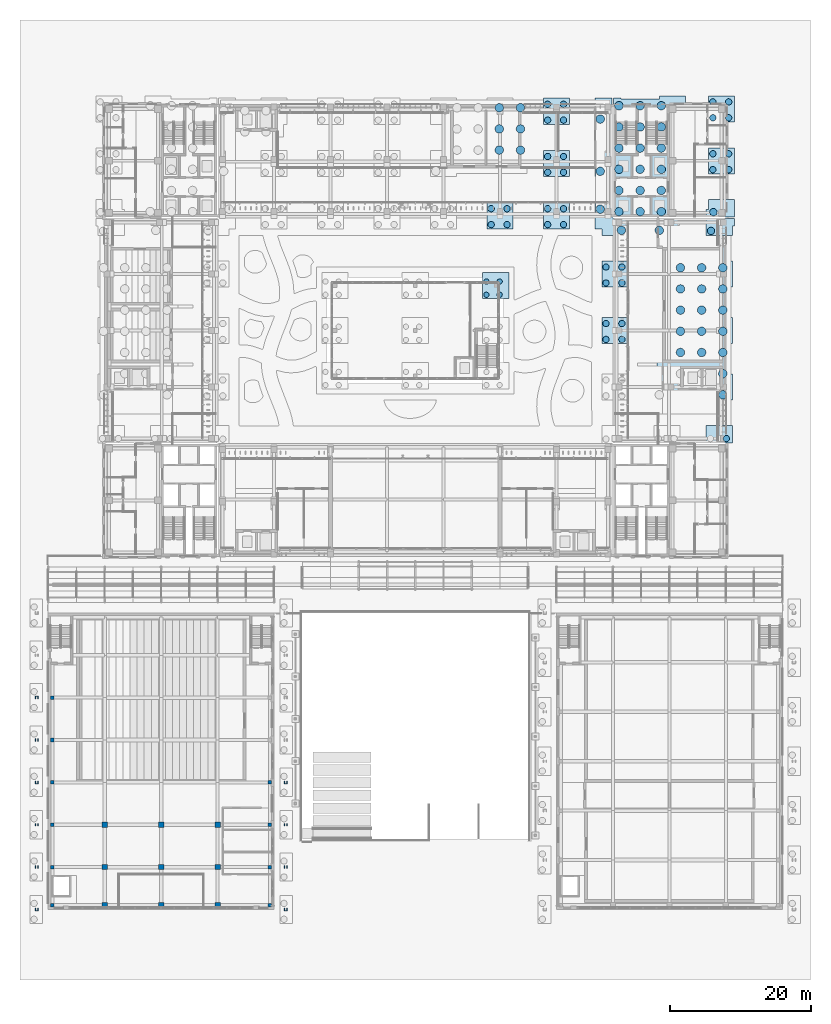
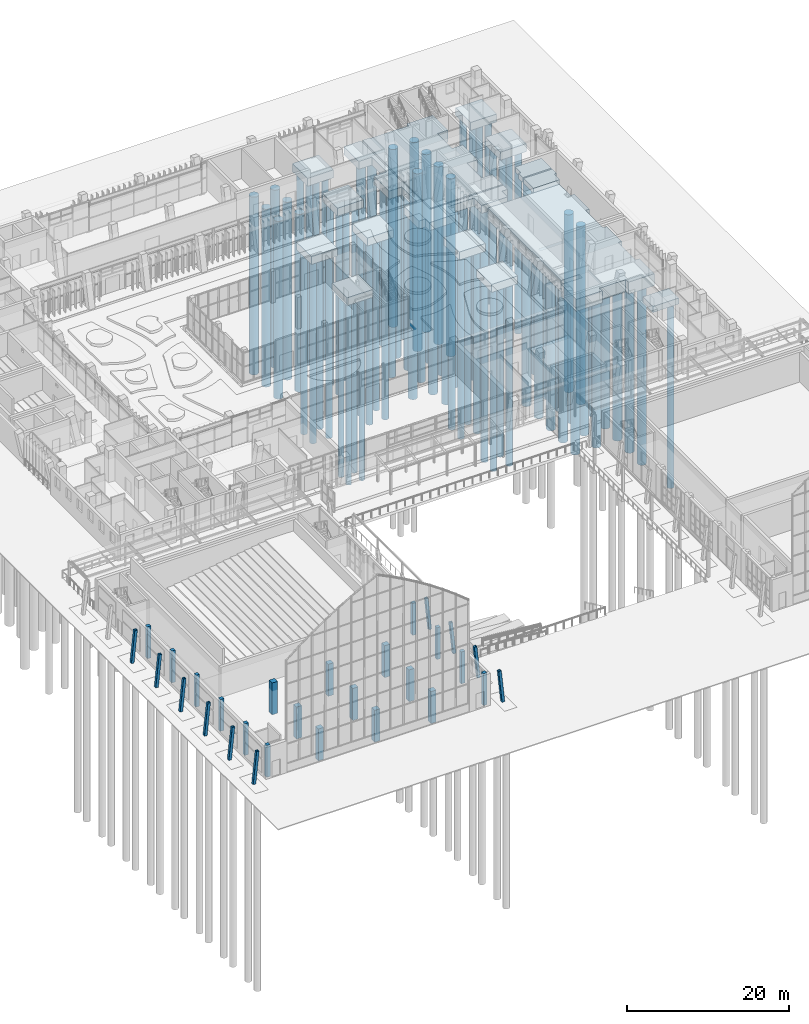
# One storey, part 3 of 144: 85 piles, 29 columns, 15 footings.
"""IFC4 building model written with IfcOpenShell, lengths in metres."""

from ifc_helpers import new_model, si_unit, direction, frame, origin, origin_2d, place, context, subcontext, project, spatial, polyline, rectangle, hollow_rectangle, circle, outline, extrude, material, material_profile, profile_set, type_object, element, save


model = new_model("IFC4")

# Units and contexts
model_context = context("Model", 3, precision=1e-05, world=origin(), true_north=direction((0.0, 1.0)))
body_context = subcontext(model_context, "Body", "Model", "MODEL_VIEW")
ifc_project = project(units=[si_unit("LENGTHUNIT", "METRE"), si_unit("AREAUNIT", "SQUARE_METRE"), si_unit("VOLUMEUNIT", "CUBIC_METRE"), si_unit("PLANEANGLEUNIT", "RADIAN"), si_unit("MASSUNIT", "GRAM", prefix="KILO")], contexts=[model_context])

# Site, building, storey
site_placement = place(None, origin())
site = spatial("IfcSite", under=ifc_project, at=site_placement, CompositionType="ELEMENT")
building_placement = place(site_placement, origin())
building = spatial("IfcBuilding", under=site, at=building_placement, Name="Lantern Court Media Centre", CompositionType="ELEMENT")
storey_placement = place(building_placement, origin())
storey = spatial("IfcBuildingStorey", under=building, at=storey_placement, Name="L00", CompositionType="ELEMENT", Elevation=0.0)

# Piles
ifc_material_1 = material(Name="Concrete C30", Category="concrete")
ifc_material_profile_1 = material_profile(ifc_material_1, circle(Radius=0.52490234375, at=origin_2d()), Name="D1050")
ifc_profile_set_1 = profile_set([ifc_material_profile_1], Name="Concrete C30")
pile_type_1 = type_object("IfcPileType", Name="BORED PILE D1050", PredefinedType="BORED", material=ifc_profile_set_1)
for number, where, z_axis, x_axis, name in (
    (1, (93.8916015625, 94.125, -2.25), (0.0, 0.0, -1.0), (1.0, 0.0, 0.0), "PL-028-000"),
    (2, (94.22509765625, 96.77490234375, -2.25), (0.0, 0.0, -1.0), (1.0, 0.0, 0.0), "PL-038-000"),
):
    element("IfcPile", number, at=place(storey_placement, frame(where, z_axis=z_axis, x_axis=x_axis)), inside=storey, type_object=pile_type_1, Name=name, PredefinedType="BORED", context=body_context, shape_type="SweptSolid", body=[
        extrude(circle(Radius=0.52490234375, at=origin_2d()), origin(), (0.0, 0.0, 1.0), 27.75),
    ])
ifc_material_profile_2 = material_profile(ifc_material_1, circle(Radius=0.60009765625, at=origin_2d()), Name="D1200")
ifc_profile_set_2 = profile_set([ifc_material_profile_2], Name="Concrete C30")
pile_type_2 = type_object("IfcPileType", Name="BORED PILE D1200", PredefinedType="BORED", material=ifc_profile_set_2)
for number, where, z_axis, x_axis, name in (
    (3, (89.566650390625, 76.89990234375, -3.25), (0.0, 0.0, -1.0), (1.0, 0.0, 0.0), "PL-011-002"),
    (4, (89.566650390625, 79.89990234375, -3.25), (0.0, 0.0, -1.0), (1.0, 0.0, 0.0), "PL-011-003"),
    (5, (89.566650390625, 82.89990234375, -3.25), (0.0, 0.0, -1.0), (1.0, 0.0, 0.0), "PL-011-004"),
    (6, (89.566650390625, 85.89990234375, -3.25), (0.0, 0.0, -1.0), (1.0, 0.0, 0.0), "PL-011-005"),
    (7, (89.566650390625, 88.89990234375, -3.25), (0.0, 0.0, -1.0), (1.0, 0.0, 0.0), "PL-011-006"),
    (8, (92.566650390625, 76.89990234375, -3.25), (0.0, 0.0, -1.0), (1.0, 0.0, 0.0), "PL-011-008"),
    (9, (92.566650390625, 79.89990234375, -3.25), (0.0, 0.0, -1.0), (1.0, 0.0, 0.0), "PL-011-009"),
    (10, (92.566650390625, 82.89990234375, -3.25), (0.0, 0.0, -1.0), (1.0, 0.0, 0.0), "PL-011-010"),
    (11, (92.566650390625, 85.89990234375, -3.25), (0.0, 0.0, -1.0), (1.0, 0.0, 0.0), "PL-011-011"),
    (12, (92.566650390625, 88.89990234375, -3.25), (0.0, 0.0, -1.0), (1.0, 0.0, 0.0), "PL-011-012"),
    (13, (95.566650390625, 70.89990234375, -3.25), (0.0, 0.0, -1.0), (1.0, 0.0, 0.0), "PL-011-013"),
    (14, (95.566650390625, 73.89990234375, -3.25), (0.0, 0.0, -1.0), (1.0, 0.0, 0.0), "PL-011-014"),
    (15, (95.566650390625, 76.89990234375, -3.25), (0.0, 0.0, -1.0), (1.0, 0.0, 0.0), "PL-011-015"),
    (16, (95.566650390625, 79.89990234375, -3.25), (0.0, 0.0, -1.0), (1.0, 0.0, 0.0), "PL-011-016"),
    (17, (95.566650390625, 82.89990234375, -3.25), (0.0, 0.0, -1.0), (1.0, 0.0, 0.0), "PL-011-017"),
    (18, (95.566650390625, 85.89990234375, -3.25), (0.0, 0.0, -1.0), (1.0, 0.0, 0.0), "PL-011-018"),
    (19, (95.566650390625, 88.89990234375, -3.25), (0.0, 0.0, -1.0), (1.0, 0.0, 0.0), "PL-011-019"),
):
    element("IfcPile", number, at=place(storey_placement, frame(where, z_axis=z_axis, x_axis=x_axis)), inside=storey, type_object=pile_type_2, Name=name, PredefinedType="BORED", context=body_context, shape_type="SweptSolid", body=[
        extrude(circle(Radius=0.60009765625, at=origin_2d()), origin(), (0.0, 0.0, 1.0), 26.75),
    ])
for number, where, z_axis, x_axis, name in (
    (20, (78.199951171875, 97.199951171875, -2.64990234375), (0.0, 0.0, -1.0), (1.0, 0.0, 0.0), "PL-027-000"),
    (21, (81.199951171875, 94.199951171875, -2.64990234375), (0.0, 0.0, -1.0), (1.0, 0.0, 0.0), "PL-027-001"),
    (22, (78.199951171875, 102.566650390625, -2.64990234375), (0.0, 0.0, -1.0), (1.0, 0.0, 0.0), "PL-027-002"),
    (23, (78.199951171875, 109.966796875, -2.64990234375), (0.0, 0.0, -1.0), (1.0, 0.0, 0.0), "PL-027-003"),
    (24, (86.566650390625, 94.199951171875, -2.64990234375), (0.0, 0.0, -1.0), (1.0, 0.0, 0.0), "PL-027-004"),
):
    element("IfcPile", number, at=place(storey_placement, frame(where, z_axis=z_axis, x_axis=x_axis)), inside=storey, type_object=pile_type_2, Name=name, PredefinedType="BORED", context=body_context, shape_type="SweptSolid", body=[
        extrude(circle(Radius=0.60009765625, at=origin_2d()), origin(), (0.0, 0.0, 1.0), 27.35009765625),
    ])
for number, where, z_axis, x_axis, name in (
    (25, (80.85009765625, 96.85009765625, -3.25), (0.0, 0.0, -1.0), (1.0, 0.0, 0.0), "PL-037-000"),
    (26, (80.85009765625, 99.85009765625, -3.25), (0.0, 0.0, -1.0), (1.0, 0.0, 0.0), "PL-037-001"),
    (27, (80.85009765625, 102.85009765625, -3.25), (0.0, 0.0, -1.0), (1.0, 0.0, 0.0), "PL-037-002"),
    (28, (80.85009765625, 105.85009765625, -3.25), (0.0, 0.0, -1.0), (1.0, 0.0, 0.0), "PL-037-003"),
    (29, (80.85009765625, 108.85009765625, -3.25), (0.0, 0.0, -1.0), (1.0, 0.0, 0.0), "PL-037-004"),
    (30, (80.85009765625, 111.85009765625, -3.25), (0.0, 0.0, -1.0), (1.0, 0.0, 0.0), "PL-037-005"),
    (31, (83.85009765625, 96.85009765625, -3.25), (0.0, 0.0, -1.0), (1.0, 0.0, 0.0), "PL-037-006"),
    (32, (83.85009765625, 99.85009765625, -3.25), (0.0, 0.0, -1.0), (1.0, 0.0, 0.0), "PL-037-007"),
    (33, (83.85009765625, 102.85009765625, -3.25), (0.0, 0.0, -1.0), (1.0, 0.0, 0.0), "PL-037-008"),
    (34, (83.85009765625, 105.85009765625, -3.25), (0.0, 0.0, -1.0), (1.0, 0.0, 0.0), "PL-037-009"),
    (35, (83.85009765625, 108.85009765625, -3.25), (0.0, 0.0, -1.0), (1.0, 0.0, 0.0), "PL-037-010"),
    (36, (83.85009765625, 111.85009765625, -3.25), (0.0, 0.0, -1.0), (1.0, 0.0, 0.0), "PL-037-011"),
    (37, (86.85009765625, 96.85009765625, -3.25), (0.0, 0.0, -1.0), (1.0, 0.0, 0.0), "PL-037-012"),
    (38, (86.85009765625, 99.85009765625, -3.25), (0.0, 0.0, -1.0), (1.0, 0.0, 0.0), "PL-037-013"),
    (39, (86.85009765625, 102.85009765625, -3.25), (0.0, 0.0, -1.0), (1.0, 0.0, 0.0), "PL-037-014"),
    (40, (86.85009765625, 105.85009765625, -3.25), (0.0, 0.0, -1.0), (1.0, 0.0, 0.0), "PL-037-015"),
    (41, (86.85009765625, 108.85009765625, -3.25), (0.0, 0.0, -1.0), (1.0, 0.0, 0.0), "PL-037-016"),
    (42, (86.85009765625, 111.85009765625, -3.25), (0.0, 0.0, -1.0), (1.0, 0.0, 0.0), "PL-037-017"),
    (43, (63.89990234375, 105.566650390625, -3.25), (0.0, 0.0, -1.0), (1.0, 0.0, 0.0), "PL-042-008"),
    (44, (63.89990234375, 108.566650390625, -3.25), (0.0, 0.0, -1.0), (1.0, 0.0, 0.0), "PL-042-009"),
    (45, (63.89990234375, 111.566650390625, -3.25), (0.0, 0.0, -1.0), (1.0, 0.0, 0.0), "PL-042-010"),
    (46, (66.89990234375, 105.566650390625, -3.25), (0.0, 0.0, -1.0), (1.0, 0.0, 0.0), "PL-042-011"),
    (47, (66.89990234375, 108.566650390625, -3.25), (0.0, 0.0, -1.0), (1.0, 0.0, 0.0), "PL-042-012"),
    (48, (66.89990234375, 111.566650390625, -3.25), (0.0, 0.0, -1.0), (1.0, 0.0, 0.0), "PL-042-013"),
):
    element("IfcPile", number, at=place(storey_placement, frame(where, z_axis=z_axis, x_axis=x_axis)), inside=storey, type_object=pile_type_2, Name=name, PredefinedType="BORED", context=body_context, shape_type="SweptSolid", body=[
        extrude(circle(Radius=0.60009765625, at=origin_2d()), origin(), (0.0, 0.0, 1.0), 26.75),
    ])
ifc_material_profile_3 = material_profile(ifc_material_1, circle(Radius=0.375, at=origin_2d()), Name="D750")
ifc_profile_set_3 = profile_set([ifc_material_profile_3], Name="Concrete C30")
pile_type_3 = type_object("IfcPileType", Name="BORED PILE D750", PredefinedType="BORED", material=ifc_profile_set_3)
for number, where, z_axis, x_axis, name in (
    (49, (62.074951171875, 85.074951171875, -2.64990234375), (0.0, 0.0, -1.0), (1.0, 0.0, 0.0), "PL-022-000"),
    (50, (62.074951171875, 86.949951171875, -2.64990234375), (0.0, 0.0, -1.0), (1.0, 0.0, 0.0), "PL-022-001"),
    (51, (63.949951171875, 85.074951171875, -2.64990234375), (0.0, 0.0, -1.0), (1.0, 0.0, 0.0), "PL-022-002"),
    (52, (63.949951171875, 86.949951171875, -2.64990234375), (0.0, 0.0, -1.0), (1.0, 0.0, 0.0), "PL-022-003"),
):
    element("IfcPile", number, at=place(storey_placement, frame(where, z_axis=z_axis, x_axis=x_axis)), inside=storey, type_object=pile_type_3, Name=name, PredefinedType="BORED", context=body_context, shape_type="SweptSolid", body=[
        extrude(circle(Radius=0.375, at=origin_2d()), origin(), (0.0, 0.0, 1.0), 27.35009765625),
    ])
ifc_material_profile_4 = material_profile(ifc_material_1, circle(Radius=0.449951171875, at=origin_2d()), Name="D900")
ifc_profile_set_4 = profile_set([ifc_material_profile_4], Name="Concrete C30")
pile_type_4 = type_object("IfcPileType", Name="BORED PILE D900", PredefinedType="BORED", material=ifc_profile_set_4)
pile_placement = place(storey_placement, frame((96.066650390625, 64.699951171875, -2.35009765625), z_axis=(0.0, 0.0, -1.0), x_axis=(1.0, 0.0, 0.0)))
element("IfcPile", 53, at=pile_placement, inside=storey, type_object=pile_type_4, Name="PL-007-001", PredefinedType="BORED", context=body_context, shape_type="SweptSolid", body=[
    extrude(circle(Radius=0.449951171875, at=origin_2d()), origin(), (0.0, 0.0, 1.0), 27.64990234375),
])
for number, where, z_axis, x_axis, name in (
    (54, (79.0166015625, 78.75, -2.64990234375), (0.0, 0.0, -1.0), (1.0, 0.0, 0.0), "PL-019-000"),
    (55, (79.0166015625, 81.0, -2.64990234375), (0.0, 0.0, -1.0), (1.0, 0.0, 0.0), "PL-019-001"),
    (56, (81.2666015625, 78.75, -2.64990234375), (0.0, 0.0, -1.0), (1.0, 0.0, 0.0), "PL-019-002"),
    (57, (81.2666015625, 81.0, -2.64990234375), (0.0, 0.0, -1.0), (1.0, 0.0, 0.0), "PL-019-003"),
    (58, (79.0166015625, 86.75, -2.64990234375), (0.0, 0.0, -1.0), (1.0, 0.0, 0.0), "PL-024-000"),
    (59, (79.0166015625, 89.0, -2.64990234375), (0.0, 0.0, -1.0), (1.0, 0.0, 0.0), "PL-024-001"),
    (60, (81.2666015625, 86.75, -2.64990234375), (0.0, 0.0, -1.0), (1.0, 0.0, 0.0), "PL-024-002"),
    (61, (81.2666015625, 89.0, -2.64990234375), (0.0, 0.0, -1.0), (1.0, 0.0, 0.0), "PL-024-003"),
    (62, (62.75, 95.0166015625, -2.64990234375), (0.0, 0.0, -1.0), (1.0, 0.0, 0.0), "PL-033-000"),
    (63, (62.75, 97.2666015625, -2.64990234375), (0.0, 0.0, -1.0), (1.0, 0.0, 0.0), "PL-033-001"),
    (64, (65.0, 95.0166015625, -2.64990234375), (0.0, 0.0, -1.0), (1.0, 0.0, 0.0), "PL-033-002"),
    (65, (65.0, 97.2666015625, -2.64990234375), (0.0, 0.0, -1.0), (1.0, 0.0, 0.0), "PL-033-003"),
    (66, (70.75, 95.0166015625, -2.64990234375), (0.0, 0.0, -1.0), (1.0, 0.0, 0.0), "PL-034-000"),
    (67, (70.75, 97.2666015625, -2.64990234375), (0.0, 0.0, -1.0), (1.0, 0.0, 0.0), "PL-034-001"),
    (68, (73.0, 95.0166015625, -2.64990234375), (0.0, 0.0, -1.0), (1.0, 0.0, 0.0), "PL-034-002"),
    (69, (73.0, 97.2666015625, -2.64990234375), (0.0, 0.0, -1.0), (1.0, 0.0, 0.0), "PL-034-003"),
    (70, (70.75, 102.416748046875, -2.64990234375), (0.0, 0.0, -1.0), (1.0, 0.0, 0.0), "PL-043-000"),
    (71, (70.75, 104.666748046875, -2.64990234375), (0.0, 0.0, -1.0), (1.0, 0.0, 0.0), "PL-043-001"),
    (72, (73.0, 102.416748046875, -2.64990234375), (0.0, 0.0, -1.0), (1.0, 0.0, 0.0), "PL-043-002"),
    (73, (73.0, 104.666748046875, -2.64990234375), (0.0, 0.0, -1.0), (1.0, 0.0, 0.0), "PL-043-003"),
    (74, (94.14990234375, 102.800048828125, -2.64990234375), (0.0, 0.0, -1.0), (1.0, 0.0, 0.0), "PL-045-000"),
    (75, (94.14990234375, 105.050048828125, -2.64990234375), (0.0, 0.0, -1.0), (1.0, 0.0, 0.0), "PL-045-001"),
    (76, (96.39990234375, 102.800048828125, -2.64990234375), (0.0, 0.0, -1.0), (1.0, 0.0, 0.0), "PL-045-002"),
    (77, (96.39990234375, 105.050048828125, -2.64990234375), (0.0, 0.0, -1.0), (1.0, 0.0, 0.0), "PL-045-003"),
    (78, (70.75, 109.816650390625, -2.64990234375), (0.0, 0.0, -1.0), (1.0, 0.0, 0.0), "PL-048-000"),
    (79, (70.75, 112.066650390625, -2.64990234375), (0.0, 0.0, -1.0), (1.0, 0.0, 0.0), "PL-048-001"),
    (80, (73.0, 109.816650390625, -2.64990234375), (0.0, 0.0, -1.0), (1.0, 0.0, 0.0), "PL-048-002"),
    (81, (73.0, 112.066650390625, -2.64990234375), (0.0, 0.0, -1.0), (1.0, 0.0, 0.0), "PL-048-003"),
    (82, (94.14990234375, 110.14990234375, -2.64990234375), (0.0, 0.0, -1.0), (1.0, 0.0, 0.0), "PL-050-000"),
    (83, (94.14990234375, 112.39990234375, -2.64990234375), (0.0, 0.0, -1.0), (1.0, 0.0, 0.0), "PL-050-001"),
    (84, (96.39990234375, 110.14990234375, -2.64990234375), (0.0, 0.0, -1.0), (1.0, 0.0, 0.0), "PL-050-002"),
    (85, (96.39990234375, 112.39990234375, -2.64990234375), (0.0, 0.0, -1.0), (1.0, 0.0, 0.0), "PL-050-003"),
):
    element("IfcPile", number, at=place(storey_placement, frame(where, z_axis=z_axis, x_axis=x_axis)), inside=storey, type_object=pile_type_4, Name=name, PredefinedType="BORED", context=body_context, shape_type="SweptSolid", body=[
        extrude(circle(Radius=0.449951171875, at=origin_2d()), origin(), (0.0, 0.0, 1.0), 27.35009765625),
    ])

# Footings
footing_type_1 = type_object("IfcFootingType", Name="PILE CAP 1200", PredefinedType="PILE_CAP", material=ifc_material_1)
footing_1_placement = place(storey_placement, frame((0.0, 0.0, -2.800048828125)))
element("IfcFooting", 86, at=footing_1_placement, inside=storey, type_object=footing_type_1, Name="PC-019", PredefinedType="PILE_CAP", context=body_context, shape_type="SweptSolid", body=[
    extrude(outline(polyline([(82.11669921875, 78.14990234375), (78.416748046875, 78.14990234375), (78.416748046875, 81.85009765625), (82.11669921875, 81.85009765625), (82.11669921875, 78.14990234375)])), origin(), (0.0, 0.0, 1.0), 1.199951171875),
])
footing_2_placement = place(storey_placement, frame((0.0, 0.0, -2.800048828125)))
element("IfcFooting", 87, at=footing_2_placement, inside=storey, type_object=footing_type_1, Name="PC-022", PredefinedType="PILE_CAP", context=body_context, shape_type="SweptSolid", body=[
    extrude(outline(polyline([(61.550048828125, 84.550048828125), (61.550048828125, 88.25), (65.25, 88.25), (65.25, 84.550048828125), (61.550048828125, 84.550048828125)])), origin(), (0.0, 0.0, 1.0), 1.199951171875),
])
footing_3_placement = place(storey_placement, frame((0.0, 0.0, -2.800048828125)))
element("IfcFooting", 88, at=footing_3_placement, inside=storey, type_object=footing_type_1, Name="PC-024", PredefinedType="PILE_CAP", context=body_context, shape_type="SweptSolid", body=[
    extrude(outline(polyline([(82.11669921875, 86.14990234375), (78.416748046875, 86.14990234375), (78.416748046875, 89.85009765625), (82.11669921875, 89.85009765625), (82.11669921875, 86.14990234375)])), origin(), (0.0, 0.0, 1.0), 1.199951171875),
])
footing_4_placement = place(storey_placement, frame((0.0, 0.0, -2.800048828125)))
element("IfcFooting", 89, at=footing_4_placement, inside=storey, type_object=footing_type_1, Name="PC-027", PredefinedType="PILE_CAP", context=body_context, shape_type="SweptSolid", body=[
    extrude(outline(polyline([(77.449951171875, 98.11669921875), (79.300048828125, 98.11669921875), (79.300048828125, 101.816650390625), (77.449951171875, 101.816650390625), (77.449951171875, 105.5166015625), (79.300048828125, 105.5166015625), (79.300048828125, 109.216552734375), (77.449951171875, 109.216552734375), (77.449951171875, 112.916748046875), (79.89990234375, 112.916748046875), (79.89990234375, 96.0), (80.0, 96.0), (80.0, 95.89990234375), (90.300048828125, 95.89990234375), (90.300048828125, 94.85009765625), (89.5166015625, 94.85009765625), (89.5166015625, 93.449951171875), (85.816650390625, 93.449951171875), (85.816650390625, 95.300048828125), (82.11669921875, 95.300048828125), (82.11669921875, 93.449951171875), (78.416748046875, 93.449951171875), (78.416748046875, 94.416748046875), (77.449951171875, 94.416748046875), (77.449951171875, 98.11669921875)])), origin(), (0.0, 0.0, 1.0), 1.199951171875),
])
footing_5_placement = place(storey_placement, frame((0.0, 0.0, -2.800048828125)))
element("IfcFooting", 90, at=footing_5_placement, inside=storey, type_object=footing_type_1, Name="PC-033", PredefinedType="PILE_CAP", context=body_context, shape_type="SweptSolid", body=[
    extrude(outline(polyline([(62.14990234375, 94.416748046875), (62.14990234375, 98.11669921875), (65.85009765625, 98.11669921875), (65.85009765625, 94.416748046875), (62.14990234375, 94.416748046875)])), origin(), (0.0, 0.0, 1.0), 1.199951171875),
])
footing_6_placement = place(storey_placement, frame((0.0, 0.0, -2.800048828125)))
element("IfcFooting", 91, at=footing_6_placement, inside=storey, type_object=footing_type_1, Name="PC-034", PredefinedType="PILE_CAP", context=body_context, shape_type="SweptSolid", body=[
    extrude(outline(polyline([(73.85009765625, 94.416748046875), (70.14990234375, 94.416748046875), (70.14990234375, 98.11669921875), (73.85009765625, 98.11669921875), (73.85009765625, 94.416748046875)])), origin(), (0.0, 0.0, 1.0), 1.199951171875),
])
footing_7_placement = place(storey_placement, frame((0.0, 0.0, -2.800048828125)))
element("IfcFooting", 92, at=footing_7_placement, inside=storey, type_object=footing_type_1, Name="PC-043", PredefinedType="PILE_CAP", context=body_context, shape_type="SweptSolid", body=[
    extrude(outline(polyline([(73.85009765625, 101.816650390625), (70.14990234375, 101.816650390625), (70.14990234375, 105.5166015625), (73.85009765625, 105.5166015625), (73.85009765625, 101.816650390625)])), origin(), (0.0, 0.0, 1.0), 1.199951171875),
])
footing_8_placement = place(storey_placement, frame((0.0, 0.0, -2.800048828125)))
element("IfcFooting", 93, at=footing_8_placement, inside=storey, type_object=footing_type_1, Name="PC-045", PredefinedType="PILE_CAP", context=body_context, shape_type="SweptSolid", body=[
    extrude(outline(polyline([(97.25, 102.199951171875), (93.550048828125, 102.199951171875), (93.550048828125, 105.89990234375), (97.25, 105.89990234375), (97.25, 102.199951171875)])), origin(), (0.0, 0.0, 1.0), 1.199951171875),
])
footing_9_placement = place(storey_placement, frame((0.0, 0.0, -2.800048828125)))
element("IfcFooting", 94, at=footing_9_placement, inside=storey, type_object=footing_type_1, Name="PC-048", PredefinedType="PILE_CAP", context=body_context, shape_type="SweptSolid", body=[
    extrude(outline(polyline([(70.14990234375, 109.216552734375), (70.14990234375, 112.916748046875), (73.85009765625, 112.916748046875), (73.85009765625, 109.216552734375), (70.14990234375, 109.216552734375)])), origin(), (0.0, 0.0, 1.0), 1.199951171875),
])
footing_10_placement = place(storey_placement, frame((0.0, 0.0, -2.800048828125)))
element("IfcFooting", 95, at=footing_10_placement, inside=storey, type_object=footing_type_1, Name="PC-050", PredefinedType="PILE_CAP", context=body_context, shape_type="SweptSolid", body=[
    extrude(outline(polyline([(93.550048828125, 109.550048828125), (93.550048828125, 113.25), (97.25, 113.25), (97.25, 109.550048828125), (93.550048828125, 109.550048828125)])), origin(), (0.0, 0.0, 1.0), 1.199951171875),
])
footing_type_2 = type_object("IfcFootingType", Name="PILE CAP 1800", PredefinedType="PILE_CAP", material=ifc_material_1)
footing_11_placement = place(storey_placement, frame((0.0, 0.0, -3.39990234375)))
element("IfcFooting", 96, at=footing_11_placement, inside=storey, type_object=footing_type_2, Name="PC-011", PredefinedType="PILE_CAP", context=body_context, shape_type="SweptSolid", body=[
    extrude(outline(polyline([(85.816650390625, 70.14990234375), (85.816650390625, 73.85009765625), (88.800048828125, 73.85009765625), (88.800048828125, 74.60009765625), (86.25, 74.60009765625), (86.25, 92.60009765625), (96.39990234375, 92.60009765625), (96.39990234375, 89.85009765625), (96.916748046875, 89.85009765625), (96.916748046875, 86.14990234375), (96.39990234375, 86.14990234375), (96.39990234375, 81.85009765625), (96.916748046875, 81.85009765625), (96.916748046875, 78.14990234375), (96.39990234375, 78.14990234375), (96.39990234375, 75.800048828125), (96.39990234375, 74.60009765625), (96.39990234375, 73.85009765625), (96.916748046875, 73.85009765625), (96.916748046875, 70.14990234375), (93.216552734375, 70.14990234375), (93.216552734375, 70.800048828125), (89.5166015625, 70.800048828125), (89.5166015625, 70.14990234375), (85.816650390625, 70.14990234375)])), origin(), (0.0, 0.0, 1.0), 1.7998046875),
])
footing_12_placement = place(storey_placement, frame((0.0, 0.0, -3.39990234375)))
element("IfcFooting", 97, at=footing_12_placement, inside=storey, type_object=footing_type_2, Name="PC-037", PredefinedType="PILE_CAP", context=body_context, shape_type="SweptSolid", body=[
    extrude(outline(polyline([(81.14990234375, 112.916748046875), (81.14990234375, 112.800048828125), (86.60009765625, 112.800048828125), (86.60009765625, 113.25), (90.300048828125, 113.25), (90.300048828125, 109.550048828125), (88.800048828125, 109.550048828125), (88.800048828125, 105.89990234375), (90.300048828125, 105.89990234375), (90.300048828125, 102.199951171875), (88.800048828125, 102.199951171875), (88.800048828125, 98.550048828125), (90.300048828125, 98.550048828125), (90.300048828125, 96.10009765625), (80.10009765625, 96.10009765625), (80.10009765625, 112.916748046875), (81.14990234375, 112.916748046875)])), origin(), (0.0, 0.0, 1.0), 1.7998046875),
])
footing_type_3 = type_object("IfcFootingType", Name="PILE CAP 800", PredefinedType="PILE_CAP", material=ifc_material_1)
footing_13_placement = place(storey_placement, frame((0.0, 0.0, -2.39990234375)))
element("IfcFooting", 98, at=footing_13_placement, inside=storey, type_object=footing_type_3, Name="PC-028", PredefinedType="PILE_CAP", context=body_context, shape_type="SweptSolid", body=[
    extrude(outline(polyline([(97.25, 94.85009765625), (96.916748046875, 94.85009765625), (96.916748046875, 93.449951171875), (93.216552734375, 93.449951171875), (93.216552734375, 95.89990234375), (97.25, 95.89990234375), (97.25, 94.85009765625)])), origin(), (0.0, 0.0, 1.0), 0.7998046875),
])
footing_14_placement = place(storey_placement, frame((0.0, 0.0, -2.39990234375)))
element("IfcFooting", 99, at=footing_14_placement, inside=storey, type_object=footing_type_3, Name="PC-038", PredefinedType="PILE_CAP", context=body_context, shape_type="SweptSolid", body=[
    extrude(outline(polyline([(97.25, 98.550048828125), (97.25, 96.10009765625), (93.216552734375, 96.10009765625), (93.216552734375, 97.14990234375), (93.550048828125, 97.14990234375), (93.550048828125, 98.550048828125), (97.25, 98.550048828125)])), origin(), (0.0, 0.0, 1.0), 0.7998046875),
])
footing_type_4 = type_object("IfcFootingType", Name="PILE CAP 900", PredefinedType="PILE_CAP", material=ifc_material_1)
footing_15_placement = place(storey_placement, frame((0.0, 0.0, -2.5)))
element("IfcFooting", 100, at=footing_15_placement, inside=storey, type_object=footing_type_4, Name="PC-007", PredefinedType="PILE_CAP", context=body_context, shape_type="SweptSolid", body=[
    extrude(outline(polyline([(96.916748046875, 64.10009765625), (93.216552734375, 64.10009765625), (93.216552734375, 66.550048828125), (96.916748046875, 66.550048828125), (96.916748046875, 64.10009765625)])), origin(), (0.0, 0.0, 1.0), 0.89990234375),
])

# Columns
ifc_material_2 = material(Name="Steel S355J2 (EN 10025-2)", Category="steel")
ifc_material_profile_5 = material_profile(ifc_material_2, hollow_rectangle(XDim=0.39990234375, YDim=0.39990234375, WallThickness=0.012451171875, InnerFilletRadius=0.012451171875, OuterFilletRadius=0.018798828125, at=origin_2d()), Name="Cinema Hall buttress column SHS 400x12.5")
ifc_profile_set_5 = profile_set([ifc_material_profile_5], Name="Steel S355J2 (EN 10025-2)")
column_type_1 = type_object("IfcColumnType", Name="Cinema Hall buttress column SHS 400x12.5", PredefinedType="COLUMN", material=ifc_profile_set_5)
for number, where, z_axis, x_axis, name in (
    (101, (-1.699951171875, 4.0, 0.0), (0.100901453218, 0.0, 0.994896425131), (0.0, 1.0, 0.0), "Cinema Hall buttress west 2"),
    (102, (-1.699951171875, 10.0, 0.0), (0.100901453218, 0.0, 0.994896425131), (0.0, 1.0, 0.0), "Cinema Hall buttress west 3"),
    (103, (-1.699951171875, 16.0, 0.0), (0.100901453218, 0.0, 0.994896425131), (0.0, 1.0, 0.0), "Cinema Hall buttress west 4"),
    (104, (-1.699951171875, 22.0, 0.0), (0.100901453218, 0.0, 0.994896425131), (0.0, 1.0, 0.0), "Cinema Hall buttress west 5"),
    (105, (-1.699951171875, 28.0, 0.0), (0.100901453218, 0.0, 0.994896425131), (0.0, 1.0, 0.0), "Cinema Hall buttress west 6"),
    (106, (33.699951171875, 4.0, 0.0), (-0.100901453218, 0.0, 0.994896425131), (0.0, -1.0, 0.0), "Cinema Hall buttress east 2"),
    (107, (33.699951171875, 10.0, 0.0), (-0.100901453218, 0.0, 0.994896425131), (0.0, -1.0, 0.0), "Cinema Hall buttress east 3"),
    (108, (33.699951171875, 16.0, 0.0), (-0.100901453218, 0.0, 0.994896425131), (0.0, -1.0, 0.0), "Cinema Hall buttress east 4"),
):
    element("IfcColumn", number, at=place(storey_placement, frame(where, z_axis=z_axis, x_axis=x_axis)), inside=storey, type_object=column_type_1, Name=name, PredefinedType="COLUMN", context=body_context, shape_type="SweptSolid", body=[
        extrude(hollow_rectangle(XDim=0.39990234375, YDim=0.39990234375, WallThickness=0.012451171875, InnerFilletRadius=0.012451171875, OuterFilletRadius=0.018798828125, at=origin_2d()), origin(), (0.0, 0.0, 1.0), 4.82470703125),
    ])
ifc_material_profile_6 = material_profile(ifc_material_2, hollow_rectangle(XDim=0.39990234375, YDim=0.39990234375, WallThickness=0.01611328125, InnerFilletRadius=0.01611328125, OuterFilletRadius=0.02392578125, at=origin_2d()), Name="Cinema Hall gable buttress column SHS 400x16")
ifc_profile_set_6 = profile_set([ifc_material_profile_6], Name="Steel S355J2 (EN 10025-2)")
column_type_2 = type_object("IfcColumnType", Name="Cinema Hall gable buttress column SHS 400x16", PredefinedType="COLUMN", material=ifc_profile_set_6)
for number, where, z_axis, x_axis, name in (
    (109, (-1.699951171875, -2.0, 0.0), (0.100901453218, 0.0, 0.994896425131), (0.0, 1.0, 0.0), "Cinema Hall buttress west 1"),
    (110, (33.699951171875, -2.0, 0.0), (-0.100901453218, 0.0, 0.994896425131), (0.0, -1.0, 0.0), "Cinema Hall buttress east 1"),
):
    element("IfcColumn", number, at=place(storey_placement, frame(where, z_axis=z_axis, x_axis=x_axis)), inside=storey, type_object=column_type_2, Name=name, PredefinedType="COLUMN", context=body_context, shape_type="SweptSolid", body=[
        extrude(hollow_rectangle(XDim=0.39990234375, YDim=0.39990234375, WallThickness=0.01611328125, InnerFilletRadius=0.01611328125, OuterFilletRadius=0.02392578125, at=origin_2d()), origin(), (0.0, 0.0, 1.0), 4.82470703125),
    ])
ifc_material_3 = material(Name="Concrete C35", Category="concrete")
ifc_material_profile_7 = material_profile(ifc_material_3, rectangle(XDim=0.5, YDim=0.5, at=origin_2d()), Name="RC 500x500")
ifc_profile_set_7 = profile_set([ifc_material_profile_7], Name="Concrete C35")
column_type_3 = type_object("IfcColumnType", Name="RC COLUMN 500x500", PredefinedType="COLUMN", material=ifc_profile_set_7)
for number, where, z_axis, x_axis, name in (
    (111, (0.60009765625, -1.39990234375, 0.0), (0.0, 0.0, 1.0), (1.0, 0.0, 0.0), "C-V1-0-0-L00"),
    (112, (0.60009765625, 4.0, 0.0), (0.0, 0.0, 1.0), (1.0, 0.0, 0.0), "C-V1-0-1-L00"),
    (113, (0.60009765625, 10.0, 0.0), (0.0, 0.0, 1.0), (1.0, 0.0, 0.0), "C-V1-0-2-L00"),
    (114, (0.60009765625, 16.0, 0.0), (0.0, 0.0, 1.0), (1.0, 0.0, 0.0), "C-V1-0-3-L00"),
    (115, (0.60009765625, 22.0, 0.0), (0.0, 0.0, 1.0), (1.0, 0.0, 0.0), "C-V1-0-4-L00"),
    (116, (0.60009765625, 28.0, 0.0), (0.0, 0.0, 1.0), (1.0, 0.0, 0.0), "C-V1-0-5-L00"),
    (117, (31.39990234375, -1.39990234375, 0.0), (0.0, 0.0, 1.0), (1.0, 0.0, 0.0), "C-V1-4-0-L00"),
    (118, (31.39990234375, 4.0, 0.0), (0.0, 0.0, 1.0), (1.0, 0.0, 0.0), "C-V1-4-1-L00"),
    (119, (31.39990234375, 10.0, 0.0), (0.0, 0.0, 1.0), (1.0, 0.0, 0.0), "C-V1-4-2-L00"),
    (120, (31.39990234375, 16.0, 0.0), (0.0, 0.0, 1.0), (1.0, 0.0, 0.0), "C-V1-4-3-L00"),
):
    element("IfcColumn", number, at=place(storey_placement, frame(where, z_axis=z_axis, x_axis=x_axis)), inside=storey, type_object=column_type_3, Name=name, PredefinedType="COLUMN", context=body_context, shape_type="SweptSolid", body=[
        extrude(rectangle(XDim=0.5, YDim=0.5, at=origin_2d()), origin(), (0.0, 0.0, 1.0), 4.800048828125),
    ])
ifc_material_profile_8 = material_profile(ifc_material_3, rectangle(XDim=0.75, YDim=0.75, at=origin_2d()), Name="RC 750x750")
ifc_profile_set_8 = profile_set([ifc_material_profile_8], Name="Concrete C35")
column_type_4 = type_object("IfcColumnType", Name="RC COLUMN 750x750", PredefinedType="COLUMN", material=ifc_profile_set_8)
for number, where, z_axis, x_axis, name in (
    (121, (8.0, -1.39990234375, 0.0), (0.0, 0.0, 1.0), (1.0, 0.0, 0.0), "C-V1-1-0-L00"),
    (122, (8.0, 4.0, 0.0), (0.0, 0.0, 1.0), (1.0, 0.0, 0.0), "C-V1-1-1-L00"),
    (123, (8.0, 10.0, 0.0), (0.0, 0.0, 1.0), (1.0, 0.0, 0.0), "C-V1-1-2-L00"),
    (124, (16.0, -1.39990234375, 0.0), (0.0, 0.0, 1.0), (1.0, 0.0, 0.0), "C-V1-2-0-L00"),
    (125, (16.0, 4.0, 0.0), (0.0, 0.0, 1.0), (1.0, 0.0, 0.0), "C-V1-2-1-L00"),
    (126, (16.0, 10.0, 0.0), (0.0, 0.0, 1.0), (1.0, 0.0, 0.0), "C-V1-2-2-L00"),
    (127, (24.0, -1.39990234375, 0.0), (0.0, 0.0, 1.0), (1.0, 0.0, 0.0), "C-V1-3-0-L00"),
    (128, (24.0, 4.0, 0.0), (0.0, 0.0, 1.0), (1.0, 0.0, 0.0), "C-V1-3-1-L00"),
    (129, (24.0, 10.0, 0.0), (0.0, 0.0, 1.0), (1.0, 0.0, 0.0), "C-V1-3-2-L00"),
):
    element("IfcColumn", number, at=place(storey_placement, frame(where, z_axis=z_axis, x_axis=x_axis)), inside=storey, type_object=column_type_4, Name=name, PredefinedType="COLUMN", context=body_context, shape_type="SweptSolid", body=[
        extrude(rectangle(XDim=0.75, YDim=0.75, at=origin_2d()), origin(), (0.0, 0.0, 1.0), 4.800048828125),
    ])

save(model, "model.ifc")
